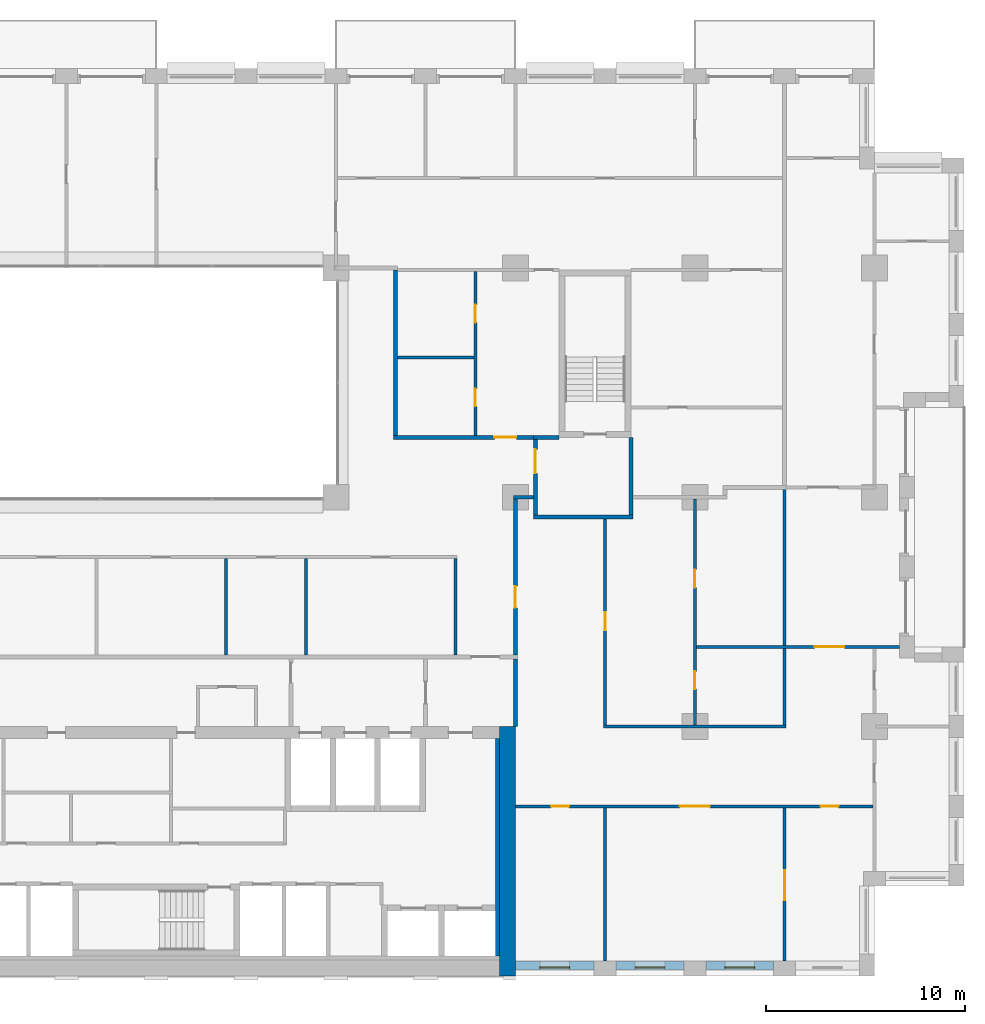
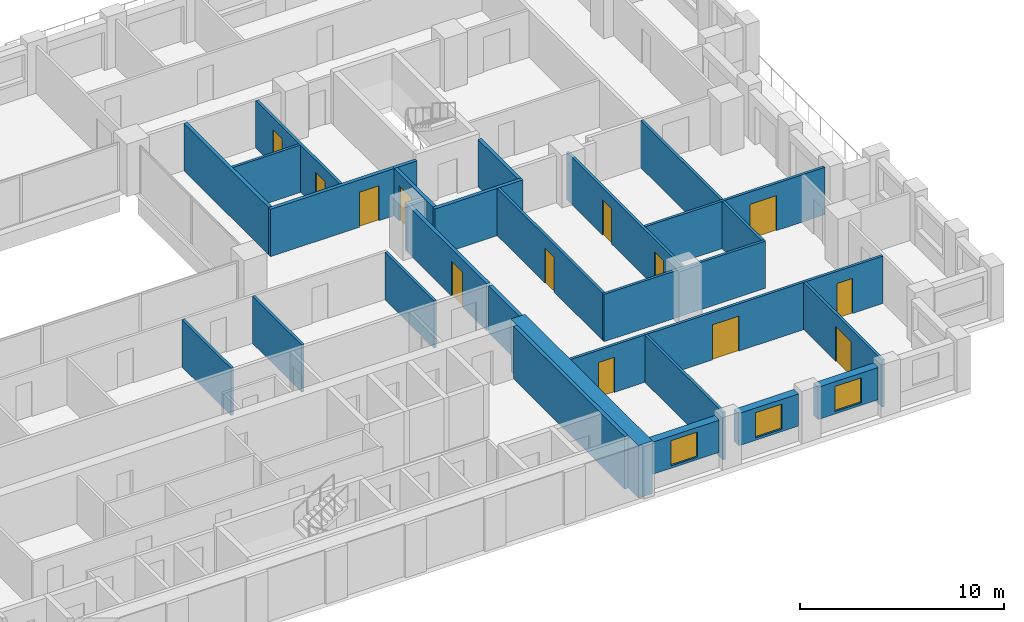
# One storey, part 11 of 16: 28 walls, 13 doors, 3 windows, 16 openings.
"""IFC4 building model written with IfcOpenShell, lengths in metres."""

from ifc_helpers import new_model, si_unit, direction, frame, frame_2d, origin, place, context, subcontext, project, spatial, rectangle, extrude, material, layer, layer_set, type_object, element, fill, save


model = new_model("IFC4")

# Units and contexts
model_context = context("Model", 3, precision=1e-05, world=origin(), true_north=direction((0.0, 1.0)))
body_context = subcontext(model_context, "Body", "Model", "MODEL_VIEW")
ifc_project = project(units=[si_unit("LENGTHUNIT", "METRE"), si_unit("AREAUNIT", "SQUARE_METRE"), si_unit("VOLUMEUNIT", "CUBIC_METRE"), si_unit("PLANEANGLEUNIT", "RADIAN"), si_unit("MASSUNIT", "GRAM", prefix="KILO")], contexts=[model_context])

# Site, building, storey
site_placement = place(None, origin())
site = spatial("IfcSite", under=ifc_project, at=site_placement, CompositionType="ELEMENT")
building_placement = place(site_placement, origin())
building = spatial("IfcBuilding", under=site, at=building_placement, Name="Brigalow Station Residences", CompositionType="ELEMENT")
storey_placement = place(building_placement, frame((0.0, 0.0, 118.199951171875)))
storey = spatial("IfcBuildingStorey", under=building, at=storey_placement, Name="L34", CompositionType="ELEMENT", Elevation=118.199951171875)

# Wall, opening, window
ifc_material_1 = material(Name="Clay brick masonry", Category="masonry")
ifc_layer_1 = layer(ifc_material_1, 0.449951171875)
ifc_layer_set_1 = layer_set([ifc_layer_1], Name="BRICK INFILL WALL 450")
wall_type_1 = type_object("IfcWallType", Name="BRICK INFILL WALL 450", PredefinedType="SOLIDWALL", material=ifc_layer_set_1)
wall_1_placement = place(storey_placement, frame((54.0, 0.52490234375, 0.900146484375), z_axis=(0.0, 0.0, 1.0), x_axis=(1.0, 0.0, 0.0)))
wall_1 = element("IfcWall", 1, at=wall_1_placement, inside=storey, type_object=wall_type_1, Name="L34/ewall/W-L34-4", PredefinedType="SOLIDWALL", context=body_context, shape_type="SweptSolid", body=[
    extrude(rectangle(XDim=3.949951171875, YDim=0.449951171875, at=frame_2d((1.97509765625, 0.0))), origin(), (0.0, 0.0, 1.0), 1.929931640625),
])
opening_1_placement = place(wall_1_placement, frame((1.22509765625, 0.0, 0.14990234375)))
opening_1 = element("IfcOpeningElement", 2, at=opening_1_placement, cuts=wall_1, Name="Opening WT-1", PredefinedType="OPENING", context=body_context, shape_type="SweptSolid", body=[
    extrude(rectangle(XDim=1.5, YDim=1.5, at=frame_2d((0.75, 0.75))), frame((0.0, 0.23486328125, 0.0), z_axis=(0.0, -1.0, 0.0), x_axis=(1.0, 0.0, 0.0)), (0.0, 0.0, 1.0), 0.469970703125),
])
ifc_material_2 = material(Name="Anodised aluminium frame with double glazing", Category="aluminium")
window_type = type_object("IfcWindowType", Name="WINDOW 1500x1500", PartitioningType="SINGLE_PANEL", PredefinedType="WINDOW", material=ifc_material_2)
window_1_placement = place(opening_1_placement, origin())
window_1 = element("IfcWindow", 3, at=window_1_placement, inside=storey, type_object=window_type, Name="L34/window/W-L34-4", OverallHeight=1.5, OverallWidth=1.5, PartitioningType="SINGLE_PANEL", PredefinedType="WINDOW", context=body_context, shape_type="SweptSolid", body=[
    extrude(rectangle(XDim=1.5, YDim=1.5, at=frame_2d((0.75, 0.75))), frame((0.0, -0.06494140625, 0.0), z_axis=(0.0, -1.0, 0.0), x_axis=(1.0, 0.0, 0.0)), (0.0, 0.0, 1.0), 0.06005859375),
])
fill(opening_1, window_1)

wall_2_placement = place(storey_placement, frame((59.050048828125, 0.52490234375, 0.900146484375), z_axis=(0.0, 0.0, 1.0), x_axis=(1.0, 0.0, 0.0)))
wall_2 = element("IfcWall", 4, at=wall_2_placement, inside=storey, type_object=wall_type_1, Name="L34/ewall/W-L34-5", PredefinedType="SOLIDWALL", context=body_context, shape_type="SweptSolid", body=[
    extrude(rectangle(XDim=3.39990234375, YDim=0.449951171875, at=frame_2d((1.699951171875, 0.0))), origin(), (0.0, 0.0, 1.0), 1.929931640625),
])
opening_2_placement = place(wall_2_placement, frame((0.949951171875, 0.0, 0.14990234375)))
opening_2 = element("IfcOpeningElement", 5, at=opening_2_placement, cuts=wall_2, Name="Opening WT-1", PredefinedType="OPENING", context=body_context, shape_type="SweptSolid", body=[
    extrude(rectangle(XDim=1.5, YDim=1.5, at=frame_2d((0.75, 0.75))), frame((0.0, 0.23486328125, 0.0), z_axis=(0.0, -1.0, 0.0), x_axis=(1.0, 0.0, 0.0)), (0.0, 0.0, 1.0), 0.469970703125),
])
window_2_placement = place(opening_2_placement, origin())
window_2 = element("IfcWindow", 6, at=window_2_placement, inside=storey, type_object=window_type, Name="L34/window/W-L34-5", OverallHeight=1.5, OverallWidth=1.5, PartitioningType="SINGLE_PANEL", PredefinedType="WINDOW", context=body_context, shape_type="SweptSolid", body=[
    extrude(rectangle(XDim=1.5, YDim=1.5, at=frame_2d((0.75, 0.75))), frame((0.0, -0.06494140625, 0.0), z_axis=(0.0, -1.0, 0.0), x_axis=(1.0, 0.0, 0.0)), (0.0, 0.0, 1.0), 0.06005859375),
])
fill(opening_2, window_2)

wall_3_placement = place(storey_placement, frame((63.550048828125, 0.52490234375, 0.900146484375), z_axis=(0.0, 0.0, 1.0), x_axis=(1.0, 0.0, 0.0)))
wall_3 = element("IfcWall", 7, at=wall_3_placement, inside=storey, type_object=wall_type_1, Name="L34/ewall/W-L34-6", PredefinedType="SOLIDWALL", context=body_context, shape_type="SweptSolid", body=[
    extrude(rectangle(XDim=3.39990234375, YDim=0.449951171875, at=frame_2d((1.699951171875, 0.0))), origin(), (0.0, 0.0, 1.0), 1.929931640625),
])
opening_3_placement = place(wall_3_placement, frame((0.949951171875, 0.0, 0.14990234375)))
opening_3 = element("IfcOpeningElement", 8, at=opening_3_placement, cuts=wall_3, Name="Opening WT-1", PredefinedType="OPENING", context=body_context, shape_type="SweptSolid", body=[
    extrude(rectangle(XDim=1.5, YDim=1.5, at=frame_2d((0.75, 0.75))), frame((0.0, 0.23486328125, 0.0), z_axis=(0.0, -1.0, 0.0), x_axis=(1.0, 0.0, 0.0)), (0.0, 0.0, 1.0), 0.469970703125),
])
window_3_placement = place(opening_3_placement, origin())
window_3 = element("IfcWindow", 9, at=window_3_placement, inside=storey, type_object=window_type, Name="L34/window/W-L34-6", OverallHeight=1.5, OverallWidth=1.5, PartitioningType="SINGLE_PANEL", PredefinedType="WINDOW", context=body_context, shape_type="SweptSolid", body=[
    extrude(rectangle(XDim=1.5, YDim=1.5, at=frame_2d((0.75, 0.75))), frame((0.0, -0.06494140625, 0.0), z_axis=(0.0, -1.0, 0.0), x_axis=(1.0, 0.0, 0.0)), (0.0, 0.0, 1.0), 0.06005859375),
])
fill(opening_3, window_3)

# Walls
ifc_material_3 = material(Name="Concrete C65", Category="concrete")
ifc_layer_2 = layer(ifc_material_3, 0.199951171875)
ifc_layer_set_2 = layer_set([ifc_layer_2], Name="CORE SHEAR WALL 200 C65")
wall_type_2 = type_object("IfcWallType", Name="CORE SHEAR WALL 200 C65", PredefinedType="SHEAR", material=ifc_layer_set_2)
wall_4_placement = place(storey_placement, frame((53.10009765625, 1.0, 0.0), z_axis=(0.0, 0.0, 1.0), x_axis=(0.0, 1.0, 0.0)))
element("IfcWall", 10, at=wall_4_placement, inside=storey, type_object=wall_type_2, Name="CORE WALL LIN-E L34", PredefinedType="SHEAR", context=body_context, shape_type="SweptSolid", body=[
    extrude(rectangle(XDim=10.89990234375, YDim=0.199951171875, at=frame_2d((5.449951171875, 0.0))), origin(), (0.0, 0.0, 1.0), 3.150146484375),
])
ifc_material_4 = material(Name="Concrete C65", Category="concrete")
ifc_layer_3 = layer(ifc_material_4, 0.800048828125)
ifc_layer_set_3 = layer_set([ifc_layer_3], Name="CORE SHEAR WALL 800 C65")
wall_type_3 = type_object("IfcWallType", Name="CORE SHEAR WALL 800 C65", PredefinedType="SHEAR", material=ifc_layer_set_3)
wall_5_placement = place(storey_placement, frame((53.60009765625, 0.0, 0.0), z_axis=(0.0, 0.0, 1.0), x_axis=(0.0, 1.0, 0.0)))
element("IfcWall", 11, at=wall_5_placement, inside=storey, type_object=wall_type_3, Name="CORE WALL OUT-E L34", PredefinedType="SHEAR", context=body_context, shape_type="SweptSolid", body=[
    extrude(rectangle(XDim=12.5, YDim=0.800048828125, at=frame_2d((6.25, 0.0))), origin(), (0.0, 0.0, 1.0), 3.150146484375),
])
ifc_material_5 = material(Name="Concrete blockwork", Category="masonry")
ifc_layer_4 = layer(ifc_material_5, 0.199951171875)
ifc_layer_set_4 = layer_set([ifc_layer_4], Name="FIRE RATED CORE PARTITION 200")
wall_type_4 = type_object("IfcWallType", Name="FIRE RATED CORE PARTITION 200", PredefinedType="PARTITIONING", material=ifc_layer_set_4)
wall_6_placement = place(storey_placement, frame((54.89990234375, 23.0, 0.0), z_axis=(0.0, 0.0, 1.0), x_axis=(1.0, 0.0, 0.0)))
element("IfcWall", 12, at=wall_6_placement, inside=storey, type_object=wall_type_4, Name="PW-5024", PredefinedType="PARTITIONING", context=body_context, shape_type="SweptSolid", body=[
    extrude(rectangle(XDim=5.0, YDim=0.199951171875, at=frame_2d((2.5, 0.0))), origin(), (0.0, 0.0, 1.0), 2.830078125),
])
wall_7_placement = place(storey_placement, frame((54.89990234375, 27.0, 0.0), z_axis=(0.0, 0.0, 1.0), x_axis=(1.0, 0.0, 0.0)))
element("IfcWall", 13, at=wall_7_placement, inside=storey, type_object=wall_type_4, Name="PW-5026", PredefinedType="PARTITIONING", context=body_context, shape_type="SweptSolid", body=[
    extrude(rectangle(XDim=1.300048828125, YDim=0.199951171875, at=frame_2d((0.64990234375, 0.0))), origin(), (0.0, 0.0, 1.0), 2.830078125),
])
wall_8_placement = place(storey_placement, frame((54.0, 12.5, 0.0), z_axis=(0.0, 0.0, 1.0), x_axis=(0.0, 1.0, 0.0)))
element("IfcWall", 14, at=wall_8_placement, inside=storey, type_object=wall_type_4, Name="PW-5016", PredefinedType="PARTITIONING", context=body_context, shape_type="SweptSolid", body=[
    extrude(rectangle(XDim=3.39990234375, YDim=0.199951171875, at=frame_2d((1.699951171875, 0.0))), origin(), (0.0, 0.0, 1.0), 2.830078125),
])

# Wall, opening, door
wall_9_placement = place(storey_placement, frame((55.0, 23.10009765625, 0.0), z_axis=(0.0, 0.0, 1.0), x_axis=(0.0, 1.0, 0.0)))
wall_9 = element("IfcWall", 15, at=wall_9_placement, inside=storey, type_object=wall_type_4, Name="PW-5036", PredefinedType="PARTITIONING", context=body_context, shape_type="SweptSolid", body=[
    extrude(rectangle(XDim=3.7998046875, YDim=0.199951171875, at=frame_2d((1.89990234375, 0.0))), origin(), (0.0, 0.0, 1.0), 2.830078125),
])
opening_4_placement = place(wall_9_placement, frame((2.10009765625, 0.0, 0.0)))
opening_4 = element("IfcOpeningElement", 16, at=opening_4_placement, cuts=wall_9, Name="Opening D-5019", PredefinedType="OPENING", context=body_context, shape_type="SweptSolid", body=[
    extrude(rectangle(XDim=1.199951171875, YDim=2.10009765625, at=frame_2d((0.60009765625, 1.050048828125))), frame((0.0, 0.10986328125, 0.0), z_axis=(0.0, -1.0, 0.0), x_axis=(1.0, 0.0, 0.0)), (0.0, 0.0, 1.0), 0.219970703125),
])
ifc_material_6 = material(Name="Steel fire door leaf in steel frame", Category="steel")
door_type_1 = type_object("IfcDoorType", Name="STAIR LOBBY DOOR 1200 x 2100 FD60S", OperationType="SINGLE_SWING_LEFT", PredefinedType="DOOR", material=ifc_material_6)
door_1_placement = place(opening_4_placement, frame((1.199951171875, 0.0, 0.0), z_axis=(0.0, 0.0, 1.0), x_axis=(-1.0, 0.0, 0.0)))
door_1 = element("IfcDoor", 17, at=door_1_placement, inside=storey, type_object=door_type_1, Name="D-5019", OperationType="SINGLE_SWING_LEFT", OverallHeight=2.10009765625, OverallWidth=1.199951171875, PredefinedType="DOOR", context=body_context, shape_type="SweptSolid", body=[
    extrude(rectangle(XDim=1.199951171875, YDim=2.10009765625, at=frame_2d((0.60009765625, 1.050048828125))), frame((0.0, 0.02490234375, 0.0), z_axis=(0.0, -1.0, 0.0), x_axis=(1.0, 0.0, 0.0)), (0.0, 0.0, 1.0), 0.050048828125),
])
fill(opening_4, door_1)

# Walls
wall_10_placement = place(storey_placement, frame((59.800048828125, 23.10009765625, 0.0), z_axis=(0.0, 0.0, 1.0), x_axis=(0.0, 1.0, 0.0)))
element("IfcWall", 18, at=wall_10_placement, inside=storey, type_object=wall_type_4, Name="PW-5037", PredefinedType="PARTITIONING", context=body_context, shape_type="SweptSolid", body=[
    extrude(rectangle(XDim=3.89990234375, YDim=0.199951171875, at=frame_2d((1.949951171875, 0.0))), origin(), (0.0, 0.0, 1.0), 2.830078125),
])
ifc_material_7 = material(Name="Plasterboard on steel stud partition", Category="steel")
ifc_layer_5 = layer(ifc_material_7, 0.14990234375)
ifc_layer_set_5 = layer_set([ifc_layer_5], Name="FLAT PARTITION 150")
wall_type_5 = type_object("IfcWallType", Name="FLAT PARTITION 150", PredefinedType="PARTITIONING", material=ifc_layer_set_5)
wall_11_placement = place(storey_placement, frame((58.425048828125, 12.5, 0.0), z_axis=(0.0, 0.0, 1.0), x_axis=(1.0, 0.0, 0.0)))
element("IfcWall", 19, at=wall_11_placement, inside=storey, type_object=wall_type_5, Name="PW-2E12", PredefinedType="PARTITIONING", context=body_context, shape_type="SweptSolid", body=[
    extrude(rectangle(XDim=9.14990234375, YDim=0.14990234375, at=frame_2d((4.574951171875, 0.0))), origin(), (0.0, 0.0, 1.0), 2.830078125),
])

# Wall, opening, door
wall_12_placement = place(storey_placement, frame((63.074951171875, 16.5, 0.0), z_axis=(0.0, 0.0, 1.0), x_axis=(1.0, 0.0, 0.0)))
wall_12 = element("IfcWall", 20, at=wall_12_placement, inside=storey, type_object=wall_type_5, Name="PW-2E15", PredefinedType="PARTITIONING", context=body_context, shape_type="SweptSolid", body=[
    extrude(rectangle(XDim=10.175048828125, YDim=0.14990234375, at=frame_2d((5.08740234375, 0.0))), origin(), (0.0, 0.0, 1.0), 2.830078125),
])
opening_5_placement = place(wall_12_placement, frame((5.925048828125, 0.0, 0.0)))
opening_5 = element("IfcOpeningElement", 21, at=opening_5_placement, cuts=wall_12, Name="Opening D-2E40", PredefinedType="OPENING", context=body_context, shape_type="SweptSolid", body=[
    extrude(rectangle(XDim=1.5, YDim=2.10009765625, at=frame_2d((0.75, 1.050048828125))), frame((0.0, 0.0849609375, 0.0), z_axis=(0.0, -1.0, 0.0), x_axis=(1.0, 0.0, 0.0)), (0.0, 0.0, 1.0), 0.169921875),
])
ifc_material_8 = material(Name="Solid-core timber door leaf", Category="wood")
door_type_2 = type_object("IfcDoorType", Name="INTERNAL DOUBLE DOOR 1500 x 2100", OperationType="DOUBLE_DOOR_SINGLE_SWING", PredefinedType="DOOR", material=ifc_material_8)
door_2_placement = place(opening_5_placement, origin())
door_2 = element("IfcDoor", 22, at=door_2_placement, inside=storey, type_object=door_type_2, Name="D-2E40", OperationType="DOUBLE_DOOR_SINGLE_SWING", OverallHeight=2.10009765625, OverallWidth=1.5, PredefinedType="DOOR", context=body_context, shape_type="SweptSolid", body=[
    extrude(rectangle(XDim=1.5, YDim=2.10009765625, at=frame_2d((0.75, 1.050048828125))), frame((0.0, 0.02490234375, 0.0), z_axis=(0.0, -1.0, 0.0), x_axis=(1.0, 0.0, 0.0)), (0.0, 0.0, 1.0), 0.050048828125),
])
fill(opening_5, door_2)

# Wall, openings, doors
wall_13_placement = place(storey_placement, frame((54.0, 8.5, 0.0), z_axis=(0.0, 0.0, 1.0), x_axis=(1.0, 0.0, 0.0)))
wall_13 = element("IfcWall", 23, at=wall_13_placement, inside=storey, type_object=wall_type_5, Name="PW-2E17", PredefinedType="PARTITIONING", context=body_context, shape_type="SweptSolid", body=[
    extrude(rectangle(XDim=17.925048828125, YDim=0.14990234375, at=frame_2d((8.96240234375, 0.0))), origin(), (0.0, 0.0, 1.0), 2.830078125),
])
opening_6_placement = place(wall_13_placement, frame((1.800048828125, 0.0, 0.0)))
opening_6 = element("IfcOpeningElement", 24, at=opening_6_placement, cuts=wall_13, Name="Opening D-2E31", PredefinedType="OPENING", context=body_context, shape_type="SweptSolid", body=[
    extrude(rectangle(XDim=0.89990234375, YDim=2.10009765625, at=frame_2d((0.449951171875, 1.050048828125))), frame((0.0, 0.0849609375, 0.0), z_axis=(0.0, -1.0, 0.0), x_axis=(1.0, 0.0, 0.0)), (0.0, 0.0, 1.0), 0.169921875),
])
opening_7_placement = place(wall_13_placement, frame((8.25, 0.0, 0.0)))
opening_7 = element("IfcOpeningElement", 25, at=opening_7_placement, cuts=wall_13, Name="Opening D-2E32", PredefinedType="OPENING", context=body_context, shape_type="SweptSolid", body=[
    extrude(rectangle(XDim=1.5, YDim=2.10009765625, at=frame_2d((0.75, 1.050048828125))), frame((0.0, 0.0849609375, 0.0), z_axis=(0.0, -1.0, 0.0), x_axis=(1.0, 0.0, 0.0)), (0.0, 0.0, 1.0), 0.169921875),
])
opening_8_placement = place(wall_13_placement, frame((15.300048828125, 0.0, 0.0)))
opening_8 = element("IfcOpeningElement", 26, at=opening_8_placement, cuts=wall_13, Name="Opening D-2E33", PredefinedType="OPENING", context=body_context, shape_type="SweptSolid", body=[
    extrude(rectangle(XDim=0.89990234375, YDim=2.10009765625, at=frame_2d((0.449951171875, 1.050048828125))), frame((0.0, 0.0849609375, 0.0), z_axis=(0.0, -1.0, 0.0), x_axis=(1.0, 0.0, 0.0)), (0.0, 0.0, 1.0), 0.169921875),
])
ifc_material_9 = material(Name="Solid-core timber door leaf", Category="wood")
door_type_3 = type_object("IfcDoorType", Name="INTERNAL DOOR 900 x 2100", OperationType="SINGLE_SWING_LEFT", PredefinedType="DOOR", material=ifc_material_9)
door_3_placement = place(opening_6_placement, frame((0.89990234375, 0.0, 0.0), z_axis=(0.0, 0.0, 1.0), x_axis=(-1.0, 0.0, 0.0)))
door_3 = element("IfcDoor", 27, at=door_3_placement, inside=storey, type_object=door_type_3, Name="D-2E31", OperationType="SINGLE_SWING_LEFT", OverallHeight=2.10009765625, OverallWidth=0.89990234375, PredefinedType="DOOR", context=body_context, shape_type="SweptSolid", body=[
    extrude(rectangle(XDim=0.89990234375, YDim=2.10009765625, at=frame_2d((0.449951171875, 1.050048828125))), frame((0.0, 0.02490234375, 0.0), z_axis=(0.0, -1.0, 0.0), x_axis=(1.0, 0.0, 0.0)), (0.0, 0.0, 1.0), 0.050048828125),
])
fill(opening_6, door_3)
door_4_placement = place(opening_8_placement, frame((0.89990234375, 0.0, 0.0), z_axis=(0.0, 0.0, 1.0), x_axis=(-1.0, 0.0, 0.0)))
door_4 = element("IfcDoor", 28, at=door_4_placement, inside=storey, type_object=door_type_3, Name="D-2E33", OperationType="SINGLE_SWING_RIGHT", OverallHeight=2.10009765625, OverallWidth=0.89990234375, PredefinedType="DOOR", context=body_context, shape_type="SweptSolid", body=[
    extrude(rectangle(XDim=0.89990234375, YDim=2.10009765625, at=frame_2d((0.449951171875, 1.050048828125))), frame((0.0, 0.02490234375, 0.0), z_axis=(0.0, -1.0, 0.0), x_axis=(1.0, 0.0, 0.0)), (0.0, 0.0, 1.0), 0.050048828125),
])
fill(opening_8, door_4)
door_5_placement = place(opening_7_placement, frame((1.5, 0.0, 0.0), z_axis=(0.0, 0.0, 1.0), x_axis=(-1.0, 0.0, 0.0)))
door_5 = element("IfcDoor", 29, at=door_5_placement, inside=storey, type_object=door_type_2, Name="D-2E32", OperationType="DOUBLE_DOOR_SINGLE_SWING", OverallHeight=2.10009765625, OverallWidth=1.5, PredefinedType="DOOR", context=body_context, shape_type="SweptSolid", body=[
    extrude(rectangle(XDim=1.5, YDim=2.10009765625, at=frame_2d((0.75, 1.050048828125))), frame((0.0, 0.02490234375, 0.0), z_axis=(0.0, -1.0, 0.0), x_axis=(1.0, 0.0, 0.0)), (0.0, 0.0, 1.0), 0.050048828125),
])
fill(opening_7, door_5)

# Walls
wall_14_placement = place(storey_placement, frame((48.10009765625, 31.0, 0.0), z_axis=(0.0, 0.0, 1.0), x_axis=(1.0, 0.0, 0.0)))
element("IfcWall", 30, at=wall_14_placement, inside=storey, type_object=wall_type_5, Name="PW-2E32", PredefinedType="PARTITIONING", context=body_context, shape_type="SweptSolid", body=[
    extrude(rectangle(XDim=3.824951171875, YDim=0.14990234375, at=frame_2d((1.91259765625, 0.0))), origin(), (0.0, 0.0, 1.0), 2.830078125),
])
wall_15_placement = place(storey_placement, frame((51.0, 16.10009765625, 0.0), z_axis=(0.0, 0.0, 1.0), x_axis=(0.0, 1.0, 0.0)))
element("IfcWall", 31, at=wall_15_placement, inside=storey, type_object=wall_type_5, Name="PW-2E39", PredefinedType="PARTITIONING", context=body_context, shape_type="SweptSolid", body=[
    extrude(rectangle(XDim=4.824951171875, YDim=0.14990234375, at=frame_2d((2.41259765625, 0.0))), origin(), (0.0, 0.0, 1.0), 2.830078125),
])

# Wall, openings, doors
wall_16_placement = place(storey_placement, frame((52.0, 27.10009765625, 0.0), z_axis=(0.0, 0.0, 1.0), x_axis=(0.0, 1.0, 0.0)))
wall_16 = element("IfcWall", 32, at=wall_16_placement, inside=storey, type_object=wall_type_5, Name="PW-2E50", PredefinedType="PARTITIONING", context=body_context, shape_type="SweptSolid", body=[
    extrude(rectangle(XDim=8.224853515625, YDim=0.14990234375, at=frame_2d((4.1123046875, 0.0))), origin(), (0.0, 0.0, 1.0), 2.830078125),
])
opening_9_placement = place(wall_16_placement, frame((1.449951171875, 0.0, 0.0)))
opening_9 = element("IfcOpeningElement", 33, at=opening_9_placement, cuts=wall_16, Name="Opening D-2E18", PredefinedType="OPENING", context=body_context, shape_type="SweptSolid", body=[
    extrude(rectangle(XDim=0.89990234375, YDim=2.10009765625, at=frame_2d((0.449951171875, 1.050048828125))), frame((0.0, 0.0849609375, 0.0), z_axis=(0.0, -1.0, 0.0), x_axis=(1.0, 0.0, 0.0)), (0.0, 0.0, 1.0), 0.169921875),
])
opening_10_placement = place(wall_16_placement, frame((5.64990234375, 0.0, 0.0)))
opening_10 = element("IfcOpeningElement", 34, at=opening_10_placement, cuts=wall_16, Name="Opening D-2E19", PredefinedType="OPENING", context=body_context, shape_type="SweptSolid", body=[
    extrude(rectangle(XDim=0.89990234375, YDim=2.10009765625, at=frame_2d((0.449951171875, 1.050048828125))), frame((0.0, 0.0849609375, 0.0), z_axis=(0.0, -1.0, 0.0), x_axis=(1.0, 0.0, 0.0)), (0.0, 0.0, 1.0), 0.169921875),
])
door_6_placement = place(opening_9_placement, origin())
door_6 = element("IfcDoor", 35, at=door_6_placement, inside=storey, type_object=door_type_3, Name="D-2E18", OperationType="SINGLE_SWING_LEFT", OverallHeight=2.10009765625, OverallWidth=0.89990234375, PredefinedType="DOOR", context=body_context, shape_type="SweptSolid", body=[
    extrude(rectangle(XDim=0.89990234375, YDim=2.10009765625, at=frame_2d((0.449951171875, 1.050048828125))), frame((0.0, 0.02490234375, 0.0), z_axis=(0.0, -1.0, 0.0), x_axis=(1.0, 0.0, 0.0)), (0.0, 0.0, 1.0), 0.050048828125),
])
fill(opening_9, door_6)
door_7_placement = place(opening_10_placement, origin())
door_7 = element("IfcDoor", 36, at=door_7_placement, inside=storey, type_object=door_type_3, Name="D-2E19", OperationType="SINGLE_SWING_RIGHT", OverallHeight=2.10009765625, OverallWidth=0.89990234375, PredefinedType="DOOR", context=body_context, shape_type="SweptSolid", body=[
    extrude(rectangle(XDim=0.89990234375, YDim=2.10009765625, at=frame_2d((0.449951171875, 1.050048828125))), frame((0.0, 0.02490234375, 0.0), z_axis=(0.0, -1.0, 0.0), x_axis=(1.0, 0.0, 0.0)), (0.0, 0.0, 1.0), 0.050048828125),
])
fill(opening_10, door_7)

# Wall, opening, door
wall_17_placement = place(storey_placement, frame((67.5, 0.75, 0.0), z_axis=(0.0, 0.0, 1.0), x_axis=(0.0, 1.0, 0.0)))
wall_17 = element("IfcWall", 37, at=wall_17_placement, inside=storey, type_object=wall_type_5, Name="PW-2E54", PredefinedType="PARTITIONING", context=body_context, shape_type="SweptSolid", body=[
    extrude(rectangle(XDim=7.675048828125, YDim=0.14990234375, at=frame_2d((3.83740234375, 0.0))), origin(), (0.0, 0.0, 1.0), 2.830078125),
])
opening_11_placement = place(wall_17_placement, frame((3.050048828125, 0.0, 0.0)))
opening_11 = element("IfcOpeningElement", 38, at=opening_11_placement, cuts=wall_17, Name="Opening D-2E34", PredefinedType="OPENING", context=body_context, shape_type="SweptSolid", body=[
    extrude(rectangle(XDim=1.5, YDim=2.10009765625, at=frame_2d((0.75, 1.050048828125))), frame((0.0, 0.0849609375, 0.0), z_axis=(0.0, -1.0, 0.0), x_axis=(1.0, 0.0, 0.0)), (0.0, 0.0, 1.0), 0.169921875),
])
door_8_placement = place(opening_11_placement, frame((1.5, 0.0, 0.0), z_axis=(0.0, 0.0, 1.0), x_axis=(-1.0, 0.0, 0.0)))
door_8 = element("IfcDoor", 39, at=door_8_placement, inside=storey, type_object=door_type_2, Name="D-2E34", OperationType="DOUBLE_DOOR_SINGLE_SWING", OverallHeight=2.10009765625, OverallWidth=1.5, PredefinedType="DOOR", context=body_context, shape_type="SweptSolid", body=[
    extrude(rectangle(XDim=1.5, YDim=2.10009765625, at=frame_2d((0.75, 1.050048828125))), frame((0.0, 0.02490234375, 0.0), z_axis=(0.0, -1.0, 0.0), x_axis=(1.0, 0.0, 0.0)), (0.0, 0.0, 1.0), 0.050048828125),
])
fill(opening_11, door_8)

# Walls
wall_18_placement = place(storey_placement, frame((67.5, 12.574951171875, 0.0), z_axis=(0.0, 0.0, 1.0), x_axis=(0.0, 1.0, 0.0)))
element("IfcWall", 40, at=wall_18_placement, inside=storey, type_object=wall_type_5, Name="PW-2E55", PredefinedType="PARTITIONING", context=body_context, shape_type="SweptSolid", body=[
    extrude(rectangle(XDim=3.85009765625, YDim=0.14990234375, at=frame_2d((1.925048828125, 0.0))), origin(), (0.0, 0.0, 1.0), 2.830078125),
])
wall_19_placement = place(storey_placement, frame((67.5, 16.574951171875, 0.0), z_axis=(0.0, 0.0, 1.0), x_axis=(0.0, 1.0, 0.0)))
element("IfcWall", 41, at=wall_19_placement, inside=storey, type_object=wall_type_5, Name="PW-2E56", PredefinedType="PARTITIONING", context=body_context, shape_type="SweptSolid", body=[
    extrude(rectangle(XDim=7.85009765625, YDim=0.14990234375, at=frame_2d((3.925048828125, 0.0))), origin(), (0.0, 0.0, 1.0), 2.830078125),
])

# Wall, openings, doors
wall_20_placement = place(storey_placement, frame((63.0, 12.574951171875, 0.0), z_axis=(0.0, 0.0, 1.0), x_axis=(0.0, 1.0, 0.0)))
wall_20 = element("IfcWall", 42, at=wall_20_placement, inside=storey, type_object=wall_type_5, Name="PW-2E59", PredefinedType="PARTITIONING", context=body_context, shape_type="SweptSolid", body=[
    extrude(rectangle(XDim=11.324951171875, YDim=0.14990234375, at=frame_2d((5.66259765625, 0.0))), origin(), (0.0, 0.0, 1.0), 2.830078125),
])
opening_12_placement = place(wall_20_placement, frame((1.800048828125, 0.0, 0.0)))
opening_12 = element("IfcOpeningElement", 43, at=opening_12_placement, cuts=wall_20, Name="Opening D-2E37", PredefinedType="OPENING", context=body_context, shape_type="SweptSolid", body=[
    extrude(rectangle(XDim=0.89990234375, YDim=2.10009765625, at=frame_2d((0.449951171875, 1.050048828125))), frame((0.0, 0.0849609375, 0.0), z_axis=(0.0, -1.0, 0.0), x_axis=(1.0, 0.0, 0.0)), (0.0, 0.0, 1.0), 0.169921875),
])
opening_13_placement = place(wall_20_placement, frame((6.89990234375, 0.0, 0.0)))
opening_13 = element("IfcOpeningElement", 44, at=opening_13_placement, cuts=wall_20, Name="Opening D-2E38", PredefinedType="OPENING", context=body_context, shape_type="SweptSolid", body=[
    extrude(rectangle(XDim=0.89990234375, YDim=2.10009765625, at=frame_2d((0.449951171875, 1.050048828125))), frame((0.0, 0.0849609375, 0.0), z_axis=(0.0, -1.0, 0.0), x_axis=(1.0, 0.0, 0.0)), (0.0, 0.0, 1.0), 0.169921875),
])
door_9_placement = place(opening_12_placement, frame((0.89990234375, 0.0, 0.0), z_axis=(0.0, 0.0, 1.0), x_axis=(-1.0, 0.0, 0.0)))
door_9 = element("IfcDoor", 45, at=door_9_placement, inside=storey, type_object=door_type_3, Name="D-2E37", OperationType="SINGLE_SWING_LEFT", OverallHeight=2.10009765625, OverallWidth=0.89990234375, PredefinedType="DOOR", context=body_context, shape_type="SweptSolid", body=[
    extrude(rectangle(XDim=0.89990234375, YDim=2.10009765625, at=frame_2d((0.449951171875, 1.050048828125))), frame((0.0, 0.02490234375, 0.0), z_axis=(0.0, -1.0, 0.0), x_axis=(1.0, 0.0, 0.0)), (0.0, 0.0, 1.0), 0.050048828125),
])
fill(opening_12, door_9)
door_10_placement = place(opening_13_placement, frame((0.89990234375, 0.0, 0.0), z_axis=(0.0, 0.0, 1.0), x_axis=(-1.0, 0.0, 0.0)))
door_10 = element("IfcDoor", 46, at=door_10_placement, inside=storey, type_object=door_type_3, Name="D-2E38", OperationType="SINGLE_SWING_RIGHT", OverallHeight=2.10009765625, OverallWidth=0.89990234375, PredefinedType="DOOR", context=body_context, shape_type="SweptSolid", body=[
    extrude(rectangle(XDim=0.89990234375, YDim=2.10009765625, at=frame_2d((0.449951171875, 1.050048828125))), frame((0.0, 0.02490234375, 0.0), z_axis=(0.0, -1.0, 0.0), x_axis=(1.0, 0.0, 0.0)), (0.0, 0.0, 1.0), 0.050048828125),
])
fill(opening_13, door_10)

# Wall
wall_21_placement = place(storey_placement, frame((58.5, 0.75, 0.0), z_axis=(0.0, 0.0, 1.0), x_axis=(0.0, 1.0, 0.0)))
element("IfcWall", 47, at=wall_21_placement, inside=storey, type_object=wall_type_5, Name="PW-2E62", PredefinedType="PARTITIONING", context=body_context, shape_type="SweptSolid", body=[
    extrude(rectangle(XDim=7.675048828125, YDim=0.14990234375, at=frame_2d((3.83740234375, 0.0))), origin(), (0.0, 0.0, 1.0), 2.830078125),
])

# Wall, opening, door
wall_22_placement = place(storey_placement, frame((58.5, 12.574951171875, 0.0), z_axis=(0.0, 0.0, 1.0), x_axis=(0.0, 1.0, 0.0)))
wall_22 = element("IfcWall", 48, at=wall_22_placement, inside=storey, type_object=wall_type_5, Name="PW-2E63", PredefinedType="PARTITIONING", context=body_context, shape_type="SweptSolid", body=[
    extrude(rectangle(XDim=10.324951171875, YDim=0.14990234375, at=frame_2d((5.16259765625, 0.0))), origin(), (0.0, 0.0, 1.0), 2.830078125),
])
opening_14_placement = place(wall_22_placement, frame((4.75, 0.0, 0.0)))
opening_14 = element("IfcOpeningElement", 49, at=opening_14_placement, cuts=wall_22, Name="Opening D-2E36", PredefinedType="OPENING", context=body_context, shape_type="SweptSolid", body=[
    extrude(rectangle(XDim=0.89990234375, YDim=2.10009765625, at=frame_2d((0.449951171875, 1.050048828125))), frame((0.0, 0.0849609375, 0.0), z_axis=(0.0, -1.0, 0.0), x_axis=(1.0, 0.0, 0.0)), (0.0, 0.0, 1.0), 0.169921875),
])
door_11_placement = place(opening_14_placement, frame((0.89990234375, 0.0, 0.0), z_axis=(0.0, 0.0, 1.0), x_axis=(-1.0, 0.0, 0.0)))
door_11 = element("IfcDoor", 50, at=door_11_placement, inside=storey, type_object=door_type_3, Name="D-2E36", OperationType="SINGLE_SWING_LEFT", OverallHeight=2.10009765625, OverallWidth=0.89990234375, PredefinedType="DOOR", context=body_context, shape_type="SweptSolid", body=[
    extrude(rectangle(XDim=0.89990234375, YDim=2.10009765625, at=frame_2d((0.449951171875, 1.050048828125))), frame((0.0, 0.02490234375, 0.0), z_axis=(0.0, -1.0, 0.0), x_axis=(1.0, 0.0, 0.0)), (0.0, 0.0, 1.0), 0.050048828125),
])
fill(opening_14, door_11)

# Walls
for number, where, z_axis, x_axis, name in (
    (51, (39.5, 16.10009765625, 0.0), (0.0, 0.0, 1.0), (0.0, 1.0, 0.0), "PW-2E68"),
    (52, (43.5, 16.10009765625, 0.0), (0.0, 0.0, 1.0), (0.0, 1.0, 0.0), "PW-2E69"),
):
    element("IfcWall", number, at=place(storey_placement, frame(where, z_axis=z_axis, x_axis=x_axis)), inside=storey, type_object=wall_type_5, Name=name, PredefinedType="PARTITIONING", context=body_context, shape_type="SweptSolid", body=[
        extrude(rectangle(XDim=4.824951171875, YDim=0.14990234375, at=frame_2d((2.41259765625, 0.0))), origin(), (0.0, 0.0, 1.0), 2.830078125),
    ])
ifc_material_10 = material(Name="Plasterboard on steel stud partition", Category="steel")
ifc_layer_6 = layer(ifc_material_10, 0.199951171875)
ifc_layer_set_6 = layer_set([ifc_layer_6], Name="PARTY AND CORRIDOR WALL 200")
wall_type_6 = type_object("IfcWallType", Name="PARTY AND CORRIDOR WALL 200", PredefinedType="PARTITIONING", material=ifc_layer_set_6)
wall_23_placement = place(storey_placement, frame((53.89990234375, 24.0, 0.0), z_axis=(0.0, 0.0, 1.0), x_axis=(1.0, 0.0, 0.0)))
element("IfcWall", 53, at=wall_23_placement, inside=storey, type_object=wall_type_6, Name="PW-2E03", PredefinedType="PARTITIONING", context=body_context, shape_type="SweptSolid", body=[
    extrude(rectangle(XDim=1.0, YDim=0.199951171875, at=frame_2d((0.5, 0.0))), origin(), (0.0, 0.0, 1.0), 2.830078125),
])

# Wall, opening, door
wall_24_placement = place(storey_placement, frame((47.89990234375, 27.0, 0.0), z_axis=(0.0, 0.0, 1.0), x_axis=(1.0, 0.0, 0.0)))
wall_24 = element("IfcWall", 54, at=wall_24_placement, inside=storey, type_object=wall_type_6, Name="PW-2E06", PredefinedType="PARTITIONING", context=body_context, shape_type="SweptSolid", body=[
    extrude(rectangle(XDim=7.0, YDim=0.199951171875, at=frame_2d((3.5, 0.0))), origin(), (0.0, 0.0, 1.0), 2.830078125),
])
opening_15_placement = place(wall_24_placement, frame((5.050048828125, 0.0, 0.0)))
opening_15 = element("IfcOpeningElement", 55, at=opening_15_placement, cuts=wall_24, Name="Opening D-2E17", PredefinedType="OPENING", context=body_context, shape_type="SweptSolid", body=[
    extrude(rectangle(XDim=1.10009765625, YDim=2.10009765625, at=frame_2d((0.550048828125, 1.050048828125))), frame((0.0, 0.10986328125, 0.0), z_axis=(0.0, -1.0, 0.0), x_axis=(1.0, 0.0, 0.0)), (0.0, 0.0, 1.0), 0.219970703125),
])
ifc_material_11 = material(Name="Solid-core timber door leaf", Category="wood")
door_type_4 = type_object("IfcDoorType", Name="FLAT ENTRANCE DOOR 1100 x 2100 FRL -/60/30", OperationType="SINGLE_SWING_LEFT", PredefinedType="DOOR", material=ifc_material_11)
door_12_placement = place(opening_15_placement, origin())
door_12 = element("IfcDoor", 56, at=door_12_placement, inside=storey, type_object=door_type_4, Name="D-2E17", OperationType="SINGLE_SWING_LEFT", OverallHeight=2.10009765625, OverallWidth=1.10009765625, PredefinedType="DOOR", context=body_context, shape_type="SweptSolid", body=[
    extrude(rectangle(XDim=1.10009765625, YDim=2.10009765625, at=frame_2d((0.550048828125, 1.050048828125))), frame((0.0, 0.02490234375, 0.0), z_axis=(0.0, -1.0, 0.0), x_axis=(1.0, 0.0, 0.0)), (0.0, 0.0, 1.0), 0.050048828125),
])
fill(opening_15, door_12)

wall_25_placement = place(storey_placement, frame((54.0, 16.10009765625, 0.0), z_axis=(0.0, 0.0, 1.0), x_axis=(0.0, 1.0, 0.0)))
wall_25 = element("IfcWall", 57, at=wall_25_placement, inside=storey, type_object=wall_type_6, Name="PW-2E37", PredefinedType="PARTITIONING", context=body_context, shape_type="SweptSolid", body=[
    extrude(rectangle(XDim=7.7998046875, YDim=0.199951171875, at=frame_2d((3.89990234375, 0.0))), origin(), (0.0, 0.0, 1.0), 2.830078125),
])
opening_16_placement = place(wall_25_placement, frame((2.35009765625, 0.0, 0.0)))
opening_16 = element("IfcOpeningElement", 58, at=opening_16_placement, cuts=wall_25, Name="Opening D-2E30", PredefinedType="OPENING", context=body_context, shape_type="SweptSolid", body=[
    extrude(rectangle(XDim=1.10009765625, YDim=2.10009765625, at=frame_2d((0.550048828125, 1.050048828125))), frame((0.0, 0.10986328125, 0.0), z_axis=(0.0, -1.0, 0.0), x_axis=(1.0, 0.0, 0.0)), (0.0, 0.0, 1.0), 0.219970703125),
])
door_13_placement = place(opening_16_placement, frame((1.10009765625, 0.0, 0.0), z_axis=(0.0, 0.0, 1.0), x_axis=(-1.0, 0.0, 0.0)))
door_13 = element("IfcDoor", 59, at=door_13_placement, inside=storey, type_object=door_type_4, Name="D-2E30", OperationType="SINGLE_SWING_LEFT", OverallHeight=2.10009765625, OverallWidth=1.10009765625, PredefinedType="DOOR", context=body_context, shape_type="SweptSolid", body=[
    extrude(rectangle(XDim=1.10009765625, YDim=2.10009765625, at=frame_2d((0.550048828125, 1.050048828125))), frame((0.0, 0.02490234375, 0.0), z_axis=(0.0, -1.0, 0.0), x_axis=(1.0, 0.0, 0.0)), (0.0, 0.0, 1.0), 0.050048828125),
])
fill(opening_16, door_13)

# Wall
wall_26_placement = place(storey_placement, frame((48.0, 27.10009765625, 0.0), z_axis=(0.0, 0.0, 1.0), x_axis=(0.0, 1.0, 0.0)))
element("IfcWall", 60, at=wall_26_placement, inside=storey, type_object=wall_type_6, Name="PW-2E41", PredefinedType="PARTITIONING", context=body_context, shape_type="SweptSolid", body=[
    extrude(rectangle(XDim=8.2998046875, YDim=0.199951171875, at=frame_2d((4.14990234375, 0.0))), origin(), (0.0, 0.0, 1.0), 2.830078125),
])

save(model, "model.ifc")
